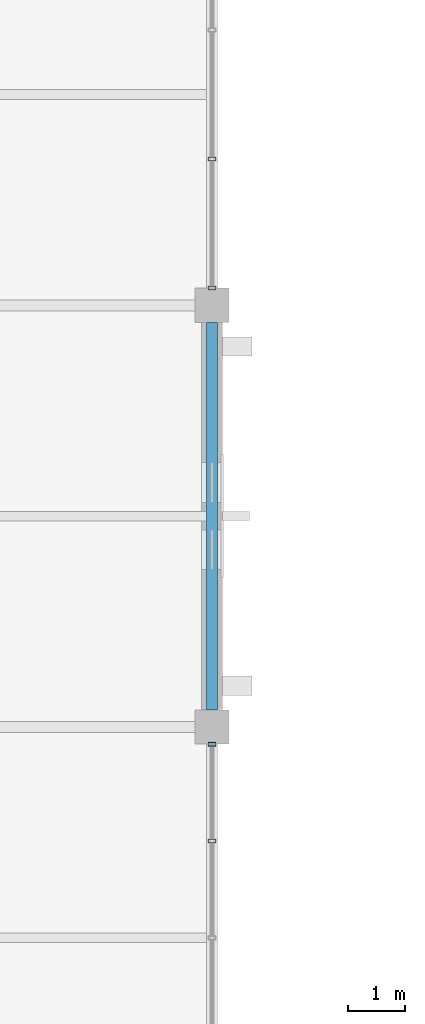
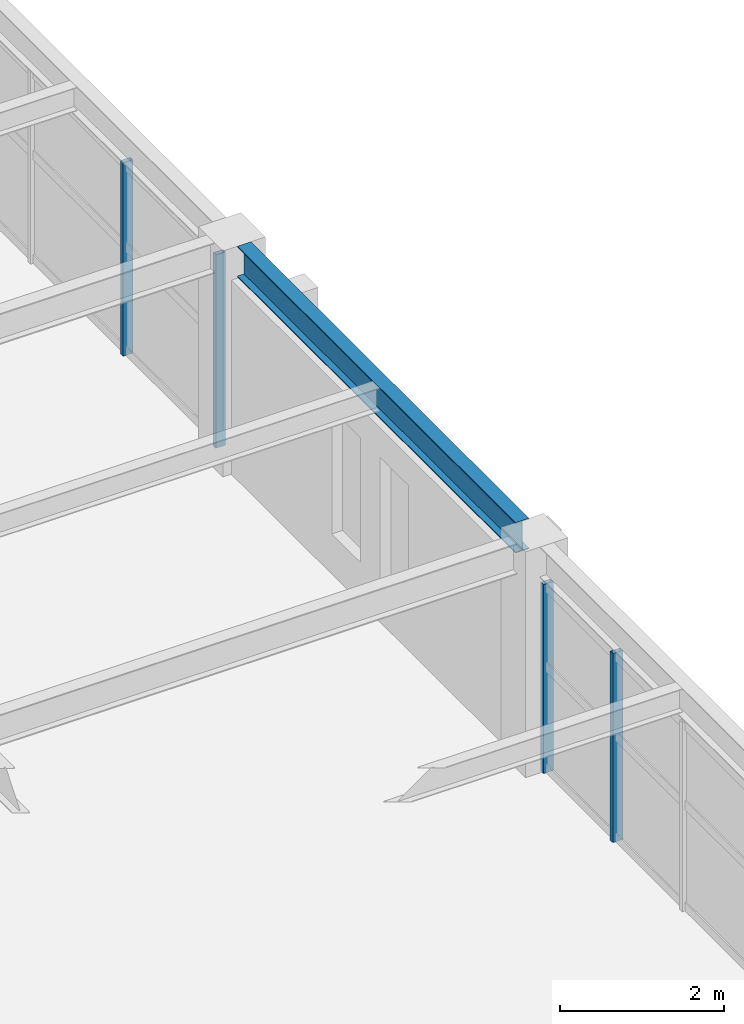
# One storey, part 42 of 121: 4 members, 1 beam, 2 elements without a shape of their own.
"""IFC4 building model written with IfcOpenShell, lengths in metres."""

from ifc_helpers import new_model, si_unit, direction, frame, origin, origin_2d, place, context, subcontext, project, spatial, hollow_rectangle, i_section, extrude, material, material_profile, profile_set, type_object, element, aggregate, save


model = new_model("IFC4")

# Units and contexts
model_context = context("Model", 3, precision=1e-05, world=origin(), true_north=direction((0.0, 1.0)))
body_context = subcontext(model_context, "Body", "Model", "MODEL_VIEW")
ifc_project = project(units=[si_unit("LENGTHUNIT", "METRE"), si_unit("AREAUNIT", "SQUARE_METRE"), si_unit("VOLUMEUNIT", "CUBIC_METRE"), si_unit("PLANEANGLEUNIT", "RADIAN"), si_unit("MASSUNIT", "GRAM", prefix="KILO")], contexts=[model_context])

# Site, building, storey
site_placement = place(None, origin())
site = spatial("IfcSite", under=ifc_project, at=site_placement, CompositionType="ELEMENT")
building_placement = place(site_placement, origin())
building = spatial("IfcBuilding", under=site, at=building_placement, Name="Cimatlan Art Gallery", CompositionType="ELEMENT")
storey_placement = place(building_placement, frame((0.0, 0.0, 10.199951171875)))
storey = spatial("IfcBuildingStorey", under=building, at=storey_placement, Name="L02", CompositionType="ELEMENT", Elevation=10.199951171875)

# Beam
ifc_material_1 = material(Name="Steel ASTM A992 Grade 50", Category="steel")
ifc_material_profile_1 = material_profile(ifc_material_1, i_section(OverallWidth=0.19091796875, OverallDepth=0.45703125, WebThickness=0.009033203125, FlangeThickness=0.014404296875, at=origin_2d()), Name="W18X50")
ifc_profile_set_1 = profile_set([ifc_material_profile_1], Name="Steel ASTM A992 Grade 50")
beam_type = type_object("IfcBeamType", Name="BM-STL-W18X50", PredefinedType="BEAM", material=ifc_profile_set_1)
beam_placement = place(storey_placement, frame((18.199951171875, 68.60009765625, 3.1416015625), z_axis=(0.0, 1.0, 0.0), x_axis=(-1.0, 0.0, 0.0)))
element("IfcBeam", 1, at=beam_placement, inside=storey, type_object=beam_type, Name="BM-Y-L02-02-09", PredefinedType="BEAM", context=body_context, shape_type="SweptSolid", body=[
    extrude(i_section(OverallWidth=0.19091796875, OverallDepth=0.45703125, WebThickness=0.009033203125, FlangeThickness=0.014404296875, at=origin_2d()), origin(), (0.0, 0.0, 1.0), 6.7998046875),
])

# Curtain wall, members
ifc_material_2 = material(Name="Anodised bronze unitised curtain wall")
curtain_wall_type_1 = type_object("IfcCurtainWallType", Name="CW-V-06792X02823-B4", PredefinedType="NOTDEFINED", material=ifc_material_2)
curtain_wall_1_placement = place(storey_placement, origin())
curtain_wall_1 = element("IfcCurtainWall", 2, at=curtain_wall_1_placement, inside=storey, type_object=curtain_wall_type_1, Name="CW-L02-01-08-E", PredefinedType="NOTDEFINED")
ifc_material_3 = material(Name="Anodised bronze aluminium 6063-T6", Category="aluminium")
ifc_material_profile_2 = material_profile(ifc_material_3, hollow_rectangle(XDim=0.06494140625, YDim=0.139892578125, WallThickness=0.00390625, at=origin_2d()), Name="ALU65X140X4")
ifc_profile_set_2 = profile_set([ifc_material_profile_2], Name="Anodised bronze aluminium 6063-T6")
member_type = type_object("IfcMemberType", Name="CW-MUL-140", PredefinedType="MULLION", material=ifc_profile_set_2)
member_1_placement = place(storey_placement, frame((18.199951171875, 67.99609375, 0.0), z_axis=(0.0, 0.0, 1.0), x_axis=(0.0, 1.0, 0.0)))
member_1 = element("IfcMember", 3, at=member_1_placement, type_object=member_type, Name="CW-L02-01-08-E-M1", PredefinedType="MULLION", context=body_context, shape_type="SweptSolid", body=[
    extrude(hollow_rectangle(XDim=0.06494140625, YDim=0.139892578125, WallThickness=0.00390625, at=origin_2d()), origin(), (0.0, 0.0, 1.0), 2.822998046875),
])
member_2_placement = place(storey_placement, frame((18.199951171875, 66.298095703125, 0.0), z_axis=(0.0, 0.0, 1.0), x_axis=(0.0, 1.0, 0.0)))
member_2 = element("IfcMember", 4, at=member_2_placement, type_object=member_type, Name="CW-L02-01-08-E-M2", PredefinedType="MULLION", context=body_context, shape_type="SweptSolid", body=[
    extrude(hollow_rectangle(XDim=0.06494140625, YDim=0.139892578125, WallThickness=0.00390625, at=origin_2d()), origin(), (0.0, 0.0, 1.0), 2.822998046875),
])
aggregate(curtain_wall_1, [member_1, member_2])

curtain_wall_type_2 = type_object("IfcCurtainWallType", Name="CW-V-06792X02883-B3", PredefinedType="NOTDEFINED", material=ifc_material_2)
curtain_wall_2_placement = place(storey_placement, origin())
curtain_wall_2 = element("IfcCurtainWall", 5, at=curtain_wall_2_placement, inside=storey, type_object=curtain_wall_type_2, Name="CW-L02-01-10-E", PredefinedType="NOTDEFINED")
member_3_placement = place(storey_placement, frame((18.199951171875, 78.26806640625, 0.0), z_axis=(0.0, 0.0, 1.0), x_axis=(0.0, 1.0, 0.0)))
member_3 = element("IfcMember", 6, at=member_3_placement, type_object=member_type, Name="CW-L02-01-10-E-M3", PredefinedType="MULLION", context=body_context, shape_type="SweptSolid", body=[
    extrude(hollow_rectangle(XDim=0.06494140625, YDim=0.139892578125, WallThickness=0.00390625, at=origin_2d()), origin(), (0.0, 0.0, 1.0), 2.883056640625),
])
member_4_placement = place(storey_placement, frame((18.199951171875, 76.00390625, 0.0), z_axis=(0.0, 0.0, 1.0), x_axis=(0.0, 1.0, 0.0)))
member_4 = element("IfcMember", 7, at=member_4_placement, type_object=member_type, Name="CW-L02-01-10-E-M4", PredefinedType="MULLION", context=body_context, shape_type="SweptSolid", body=[
    extrude(hollow_rectangle(XDim=0.06494140625, YDim=0.139892578125, WallThickness=0.00390625, at=origin_2d()), origin(), (0.0, 0.0, 1.0), 2.883056640625),
])
aggregate(curtain_wall_2, [member_3, member_4])

save(model, "model.ifc")
